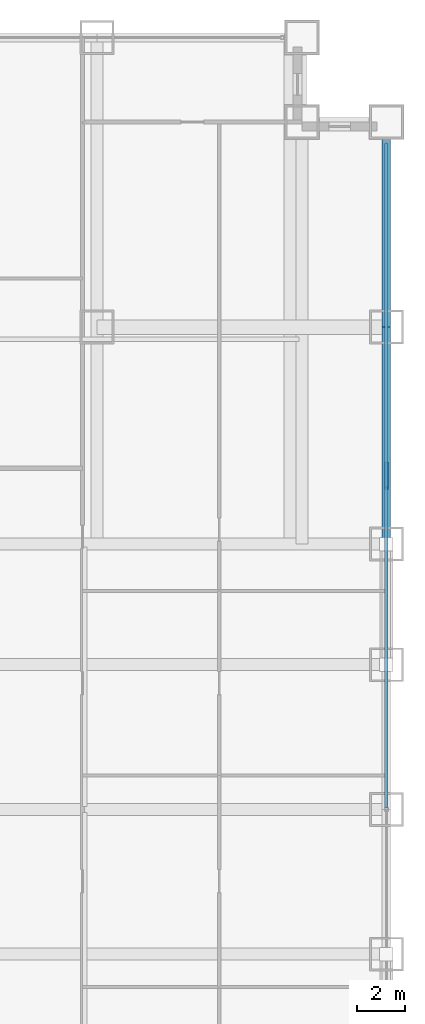
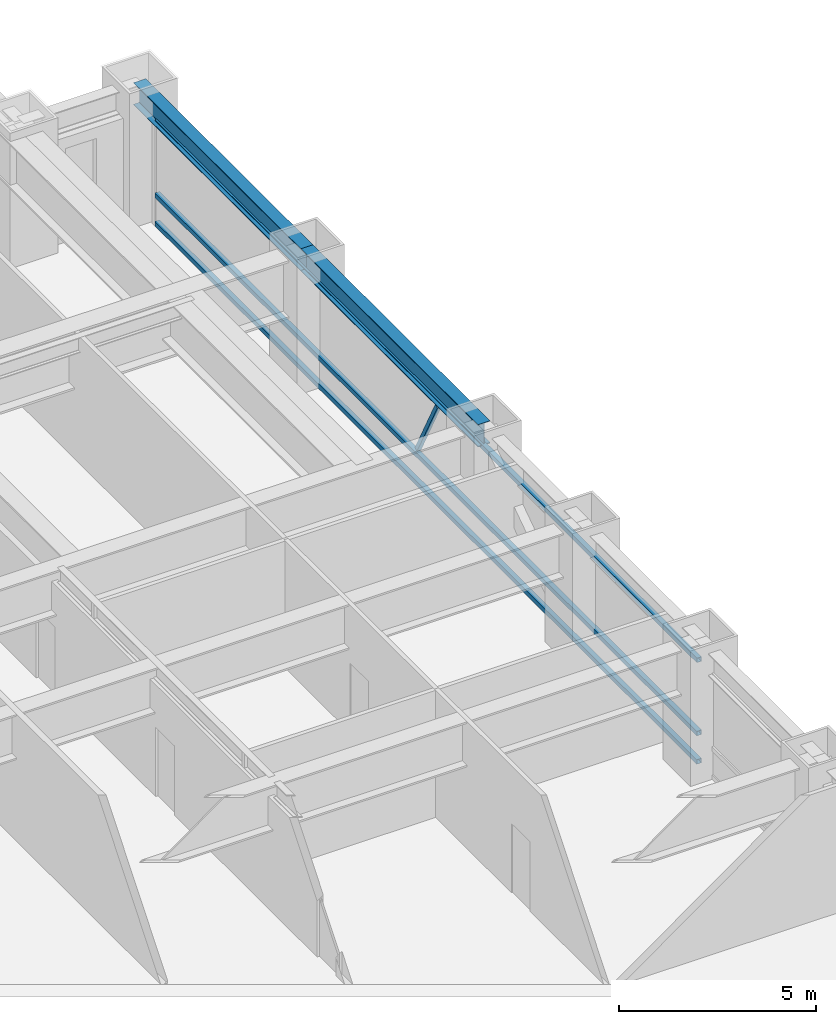
# One storey, part 15 of 29: 4 members, 2 beams, 1 element without a shape of its own.
"""IFC4 building model written with IfcOpenShell, lengths in metres."""

from ifc_helpers import new_model, si_unit, direction, frame, origin, origin_2d, place, context, subcontext, project, spatial, hollow_rectangle, i_section, extrude, source, transform, mapped, material, material_profile, profile_set, type_object, element, aggregate, save


model = new_model("IFC4")

# Units and contexts
model_context = context("Model", 3, precision=1e-05, world=origin(), true_north=direction((0.0, 1.0)))
body_context = subcontext(model_context, "Body", "Model", "MODEL_VIEW")
ifc_project = project(units=[si_unit("LENGTHUNIT", "METRE"), si_unit("AREAUNIT", "SQUARE_METRE"), si_unit("VOLUMEUNIT", "CUBIC_METRE"), si_unit("PLANEANGLEUNIT", "RADIAN"), si_unit("MASSUNIT", "GRAM", prefix="KILO")], contexts=[model_context])

# Site, building, storey
site_placement = place(None, origin())
site = spatial("IfcSite", under=ifc_project, at=site_placement, CompositionType="ELEMENT")
building_placement = place(site_placement, origin())
building = spatial("IfcBuilding", under=site, at=building_placement, Name="Khorayat Bourse Tower", CompositionType="ELEMENT")
storey_placement = place(building_placement, frame((0.0, 0.0, 87.199951171875)))
storey = spatial("IfcBuildingStorey", under=building, at=storey_placement, Name="L19", CompositionType="ELEMENT", Elevation=87.199951171875)

# Beams
ifc_material_1 = material(Name="Steel ASTM A992 Grade 50", Category="steel")
ifc_material_profile_1 = material_profile(ifc_material_1, i_section(OverallWidth=0.35498046875, OverallDepth=0.695068359375, WebThickness=0.015380859375, FlangeThickness=0.02490234375, FilletRadius=0.01806640625, at=origin_2d()), Name="W690X217")
ifc_profile_set_1 = profile_set([ifc_material_profile_1], Name="Steel ASTM A992 Grade 50")
beam_type = type_object("IfcBeamType", Name="BM-SPAN-690", PredefinedType="SPANDREL", material=ifc_profile_set_1)
shared_shape_1 = source(origin(), body_context, "Body", "SweptSolid", [
    extrude(i_section(OverallWidth=0.35498046875, OverallDepth=0.695068359375, WebThickness=0.015380859375, FlangeThickness=0.02490234375, FilletRadius=0.01806640625, at=origin_2d()), origin(), (0.0, 0.0, 1.0), 8.5),
])
beam_1_placement = place(storey_placement, frame((32.0, 20.0, 3.592529296875), z_axis=(0.0, 1.0, 0.0), x_axis=(-1.0, 0.0, 0.0)))
element("IfcBeam", 1, at=beam_1_placement, inside=storey, type_object=beam_type, Name="L19 BM-SPAN-690 BM-L19-SPN-041", PredefinedType="SPANDREL", context=body_context, shape_type="MappedRepresentation", body=[
    mapped(shared_shape_1, transform((0.0, 0.0, 0.0), scale=1.0)),
])
shared_shape_2 = source(origin(), body_context, "Body", "SweptSolid", [
    extrude(i_section(OverallWidth=0.35498046875, OverallDepth=0.695068359375, WebThickness=0.015380859375, FlangeThickness=0.02490234375, FilletRadius=0.01806640625, at=origin_2d()), origin(), (0.0, 0.0, 1.0), 9.0),
])
beam_2_placement = place(storey_placement, frame((32.0, 11.0, 3.592529296875), z_axis=(0.0, 1.0, 0.0), x_axis=(-1.0, 0.0, 0.0)))
element("IfcBeam", 2, at=beam_2_placement, inside=storey, type_object=beam_type, Name="L19 BM-SPAN-690 BM-L19-SPN-040", PredefinedType="SPANDREL", context=body_context, shape_type="MappedRepresentation", body=[
    mapped(shared_shape_2, transform((0.0, 0.0, 0.0), scale=1.0)),
])

# Curtain wall, members
ifc_material_2 = material(Name="Aluminium EN AW-6063 T6", Category="aluminium")
curtain_wall_type = type_object("IfcCurtainWallType", Name="CW-SYS-02", PredefinedType="NOTDEFINED", material=ifc_material_2)
curtain_wall_placement = place(storey_placement, origin())
curtain_wall = element("IfcCurtainWall", 3, at=curtain_wall_placement, inside=storey, type_object=curtain_wall_type, Name="L19 Curtain Wall CW-L19-E1", PredefinedType="NOTDEFINED")
ifc_material_profile_2 = material_profile(ifc_material_2, hollow_rectangle(XDim=0.1201171875, YDim=0.1201171875, WallThickness=0.0048828125, at=origin_2d()), Name="ALU 120x120x5")
ifc_profile_set_2 = profile_set([ifc_material_profile_2], Name="Aluminium EN AW-6063 T6")
member_type_1 = type_object("IfcMemberType", Name="CWM-DIAG-120", PredefinedType="MULLION", material=ifc_profile_set_2)
shared_shape_3 = source(origin(), body_context, "Body", "SweptSolid", [
    extrude(hollow_rectangle(XDim=0.1201171875, YDim=0.1201171875, WallThickness=0.0048828125, at=origin_2d()), origin(), (0.0, 0.0, 1.0), 2.22607421875),
])
member_1_placement = place(storey_placement, frame((32.0, 14.3583984375, 1.10009765625), z_axis=(0.0, -0.465759992596, 0.884911085532), x_axis=(1.0, 0.0, 0.0)))
member_1 = element("IfcMember", 4, at=member_1_placement, type_object=member_type_1, Name="CW-L19-E1 Faceted Diagonal Mullion 2", PredefinedType="MULLION", context=body_context, shape_type="MappedRepresentation", body=[
    mapped(shared_shape_3, transform((0.0, 0.0, 0.0), scale=1.0)),
])
ifc_material_profile_3 = material_profile(ifc_material_2, hollow_rectangle(XDim=0.139892578125, YDim=0.139892578125, WallThickness=0.006103515625, at=origin_2d()), Name="ALU 140x140x6")
ifc_profile_set_3 = profile_set([ifc_material_profile_3], Name="Aluminium EN AW-6063 T6")
member_type_2 = type_object("IfcMemberType", Name="CWT-HORZ-140", PredefinedType="USERDEFINED", material=ifc_profile_set_3)
shared_shape_4 = source(origin(), body_context, "Body", "SweptSolid", [
    extrude(hollow_rectangle(XDim=0.139892578125, YDim=0.139892578125, WallThickness=0.006103515625, at=origin_2d()), origin(), (0.0, 0.0, 1.0), 27.5400390625),
])
member_2_placement = place(storey_placement, frame((32.0, 0.070068359375, 0.070068359375), z_axis=(0.0, 1.0, 0.0), x_axis=(-1.0, 0.0, 0.0)))
member_2 = element("IfcMember", 5, at=member_2_placement, type_object=member_type_2, Name="CW-L19-E1 Horizontal Transom 2-1", ObjectType="TRANSOM", PredefinedType="USERDEFINED", context=body_context, shape_type="MappedRepresentation", body=[
    mapped(shared_shape_4, transform((0.0, 0.0, 0.0), scale=1.0)),
])
member_3_placement = place(storey_placement, frame((32.0, 0.070068359375, 0.949951171875), z_axis=(0.0, 1.0, 0.0), x_axis=(-1.0, 0.0, 0.0)))
member_3 = element("IfcMember", 6, at=member_3_placement, type_object=member_type_2, Name="CW-L19-E1 Horizontal Transom 2-2", ObjectType="TRANSOM", PredefinedType="USERDEFINED", context=body_context, shape_type="MappedRepresentation", body=[
    mapped(shared_shape_4, transform((0.0, 0.0, 0.0), scale=1.0)),
])
member_4_placement = place(storey_placement, frame((32.0, 0.070068359375, 3.219970703125), z_axis=(0.0, 1.0, 0.0), x_axis=(-1.0, 0.0, 0.0)))
member_4 = element("IfcMember", 7, at=member_4_placement, type_object=member_type_2, Name="CW-L19-E1 Horizontal Transom 2-3", ObjectType="TRANSOM", PredefinedType="USERDEFINED", context=body_context, shape_type="MappedRepresentation", body=[
    mapped(shared_shape_4, transform((0.0, 0.0, 0.0), scale=1.0)),
])
aggregate(curtain_wall, [member_2, member_3, member_4, member_1])

save(model, "model.ifc")
